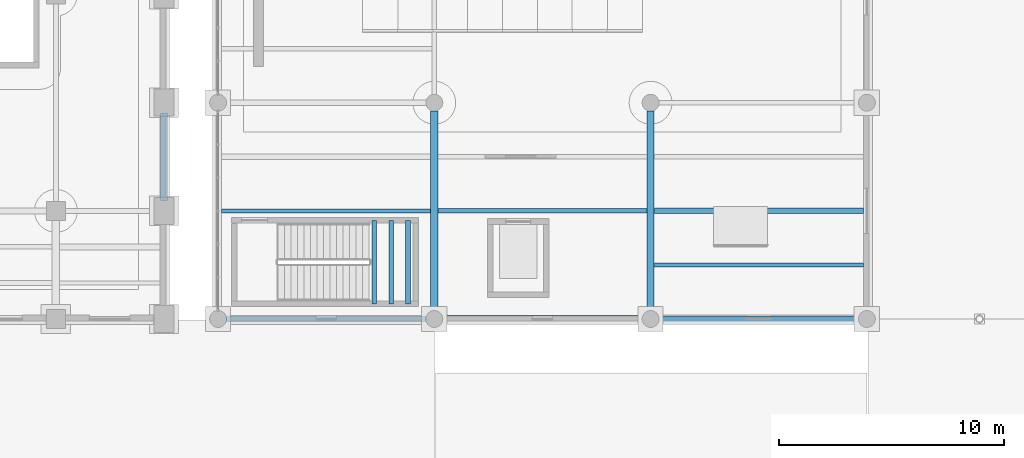
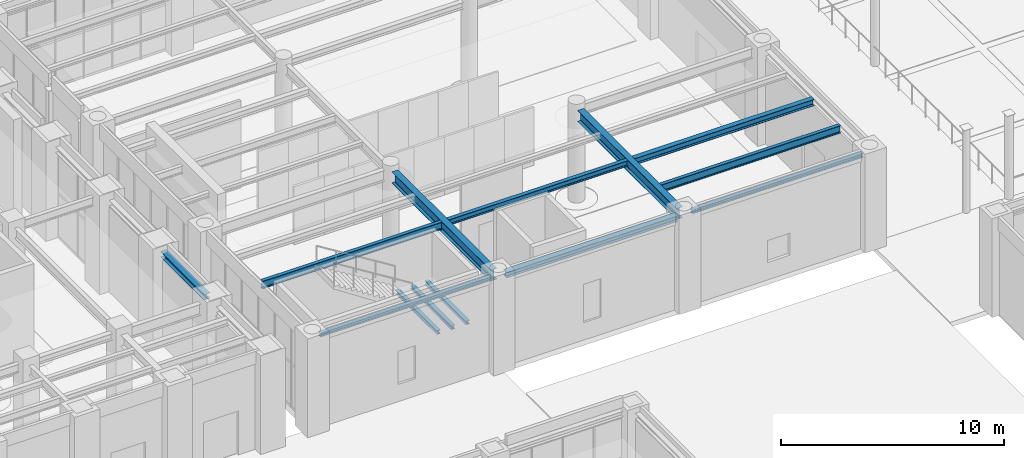
# One storey, part 42 of 164: 13 beams.
"""IFC4 building model written with IfcOpenShell, lengths in metres."""

from ifc_helpers import new_model, si_unit, direction, frame, origin, origin_2d, place, context, subcontext, project, spatial, i_section, extrude, material, material_profile, profile_set, type_object, element, save


model = new_model("IFC4")

# Units and contexts
model_context = context("Model", 3, precision=1e-05, world=origin(), true_north=direction((0.0, 1.0)))
body_context = subcontext(model_context, "Body", "Model", "MODEL_VIEW")
ifc_project = project(units=[si_unit("LENGTHUNIT", "METRE"), si_unit("AREAUNIT", "SQUARE_METRE"), si_unit("VOLUMEUNIT", "CUBIC_METRE"), si_unit("PLANEANGLEUNIT", "RADIAN"), si_unit("MASSUNIT", "GRAM", prefix="KILO")], contexts=[model_context])

# Site, building, storey
site_placement = place(None, origin())
site = spatial("IfcSite", under=ifc_project, at=site_placement, CompositionType="ELEMENT")
building_placement = place(site_placement, origin())
building = spatial("IfcBuilding", under=site, at=building_placement, Name="Mavantir Sound Aquarium", CompositionType="ELEMENT")
storey_placement = place(building_placement, origin())
storey = spatial("IfcBuildingStorey", under=building, at=storey_placement, Name="L00", CompositionType="ELEMENT", Elevation=0.0)

# Beams
ifc_material = material(Name="Structural Steel ASTM A992 Gr50", Category="steel")
ifc_material_profile_1 = material_profile(ifc_material, i_section(OverallWidth=0.202880859375, OverallDepth=0.202880859375, WebThickness=0.007080078125, FlangeThickness=0.010986328125, FilletRadius=0.010009765625, at=origin_2d()), Name="W200X46")
ifc_profile_set_1 = profile_set([ifc_material_profile_1], Name="Structural Steel ASTM A992 Gr50")
beam_type_1 = type_object("IfcBeamType", Name="BM-W200X46-E", PredefinedType="LINTEL", material=ifc_profile_set_1)
for number, where, z_axis, x_axis, name in (
    (1, (36.375, 40.800048828125, 4.994384765625), (1.0, 0.0, 0.0), (0.0, 1.0, 0.0), "L00 primary beam SL-20 866"),
    (2, (55.574951171875, 40.800048828125, 4.994384765625), (1.0, 0.0, 0.0), (0.0, 1.0, 0.0), "L00 primary beam SL-20 868"),
):
    element("IfcBeam", number, at=place(storey_placement, frame(where, z_axis=z_axis, x_axis=x_axis)), inside=storey, type_object=beam_type_1, Name=name, PredefinedType="LINTEL", context=body_context, shape_type="SweptSolid", body=[
        extrude(i_section(OverallWidth=0.202880859375, OverallDepth=0.202880859375, WebThickness=0.007080078125, FlangeThickness=0.010986328125, FilletRadius=0.010009765625, at=origin_2d()), origin(), (0.0, 0.0, 1.0), 8.85009765625),
    ])
ifc_material_profile_2 = material_profile(ifc_material, i_section(OverallWidth=0.202880859375, OverallDepth=0.202880859375, WebThickness=0.007080078125, FlangeThickness=0.010986328125, FilletRadius=0.010009765625, at=origin_2d()), Name="W200X46")
ifc_profile_set_2 = profile_set([ifc_material_profile_2], Name="Structural Steel ASTM A992 Gr50")
beam_type_2 = type_object("IfcBeamType", Name="BM-W200X46-I", PredefinedType="LINTEL", material=ifc_profile_set_2)
for number, where, z_axis, x_axis, name in (
    (3, (42.929931640625, 41.47509765625, 2.3955078125), (0.0, 1.0, 0.0), (-1.0, 0.0, 0.0), "Stair ST8 landing support beam 145"),
    (4, (43.679931640625, 41.47509765625, 2.3955078125), (0.0, 1.0, 0.0), (-1.0, 0.0, 0.0), "Stair ST8 landing support beam 146"),
    (5, (44.429931640625, 41.47509765625, 2.3955078125), (0.0, 1.0, 0.0), (-1.0, 0.0, 0.0), "Stair ST8 landing support beam 147"),
):
    element("IfcBeam", number, at=place(storey_placement, frame(where, z_axis=z_axis, x_axis=x_axis)), inside=storey, type_object=beam_type_2, Name=name, PredefinedType="LINTEL", context=body_context, shape_type="SweptSolid", body=[
        extrude(i_section(OverallWidth=0.202880859375, OverallDepth=0.202880859375, WebThickness=0.007080078125, FlangeThickness=0.010986328125, FilletRadius=0.010009765625, at=origin_2d()), origin(), (0.0, 0.0, 1.0), 3.699951171875),
    ])
ifc_material_profile_3 = material_profile(ifc_material, i_section(OverallWidth=0.205078125, OverallDepth=0.31005859375, WebThickness=0.009521484375, FlangeThickness=0.016357421875, FilletRadius=0.012939453125, at=origin_2d()), Name="W310X74")
ifc_profile_set_3 = profile_set([ifc_material_profile_3], Name="Structural Steel ASTM A992 Gr50")
beam_type_3 = type_object("IfcBeamType", Name="BM-W310X74-I", PredefinedType="JOIST", material=ifc_profile_set_3)
beam_1_placement = place(storey_placement, frame((45.761962890625, 45.60009765625, 4.94091796875), z_axis=(1.0, 0.0, 0.0), x_axis=(0.0, 1.0, 0.0)))
element("IfcBeam", 6, at=beam_1_placement, inside=storey, type_object=beam_type_3, Name="L00 secondary floor joist SJ-31 463", PredefinedType="JOIST", context=body_context, shape_type="SweptSolid", body=[
    extrude(i_section(OverallWidth=0.205078125, OverallDepth=0.31005859375, WebThickness=0.009521484375, FlangeThickness=0.016357421875, FilletRadius=0.012939453125, at=origin_2d()), origin(), (0.0, 0.0, 1.0), 9.276123046875),
])
ifc_material_profile_4 = material_profile(ifc_material, i_section(OverallWidth=0.304931640625, OverallDepth=0.30810546875, WebThickness=0.010009765625, FlangeThickness=0.015380859375, FilletRadius=0.014892578125, at=origin_2d()), Name="W310X97")
ifc_profile_set_4 = profile_set([ifc_material_profile_4], Name="Structural Steel ASTM A992 Gr50")
beam_type_4 = type_object("IfcBeamType", Name="BM-W310X97-E", PredefinedType="SPANDREL", material=ifc_profile_set_4)
beam_2_placement = place(storey_placement, frame((33.60009765625, 46.050048828125, 4.842041015625), z_axis=(0.0, 1.0, 0.0), x_axis=(-1.0, 0.0, 0.0)))
element("IfcBeam", 7, at=beam_2_placement, inside=storey, type_object=beam_type_4, Name="L00 primary girder SS-31A 859", PredefinedType="SPANDREL", context=body_context, shape_type="SweptSolid", body=[
    extrude(i_section(OverallWidth=0.304931640625, OverallDepth=0.30810546875, WebThickness=0.010009765625, FlangeThickness=0.015380859375, FilletRadius=0.014892578125, at=origin_2d()), origin(), (0.0, 0.0, 1.0), 3.89990234375),
])
beam_3_placement = place(storey_placement, frame((45.97509765625, 40.800048828125, 4.94189453125), z_axis=(1.0, 0.0, 0.0), x_axis=(0.0, 1.0, 0.0)))
element("IfcBeam", 8, at=beam_3_placement, inside=storey, type_object=beam_type_4, Name="L00 primary beam SS-31A 867", PredefinedType="SPANDREL", context=body_context, shape_type="SweptSolid", body=[
    extrude(i_section(OverallWidth=0.304931640625, OverallDepth=0.30810546875, WebThickness=0.010009765625, FlangeThickness=0.015380859375, FilletRadius=0.014892578125, at=origin_2d()), origin(), (0.0, 0.0, 1.0), 8.849853515625),
])
ifc_material_profile_5 = material_profile(ifc_material, i_section(OverallWidth=0.25390625, OverallDepth=0.35302734375, WebThickness=0.009521484375, FlangeThickness=0.016357421875, FilletRadius=0.014892578125, at=origin_2d()), Name="W360X91")
ifc_profile_set_5 = profile_set([ifc_material_profile_5], Name="Structural Steel ASTM A992 Gr50")
beam_type_5 = type_object("IfcBeamType", Name="BM-W360X91-I", PredefinedType="JOIST", material=ifc_profile_set_5)
beam_4_placement = place(storey_placement, frame((55.362060546875, 45.60009765625, 4.91943359375), z_axis=(1.0, 0.0, 0.0), x_axis=(0.0, 1.0, 0.0)))
element("IfcBeam", 9, at=beam_4_placement, inside=storey, type_object=beam_type_5, Name="L00 secondary floor joist SJ-36 466", PredefinedType="JOIST", context=body_context, shape_type="SweptSolid", body=[
    extrude(i_section(OverallWidth=0.25390625, OverallDepth=0.35302734375, WebThickness=0.009521484375, FlangeThickness=0.016357421875, FilletRadius=0.014892578125, at=origin_2d()), origin(), (0.0, 0.0, 1.0), 9.285400390625),
])
ifc_material_profile_6 = material_profile(ifc_material, i_section(OverallWidth=0.180908203125, OverallDepth=0.4169921875, WebThickness=0.010986328125, FlangeThickness=0.018310546875, FilletRadius=0.014892578125, at=origin_2d()), Name="W410X85")
ifc_profile_set_6 = profile_set([ifc_material_profile_6], Name="Structural Steel ASTM A992 Gr50")
beam_type_6 = type_object("IfcBeamType", Name="BM-W410X85-I", PredefinedType="JOIST", material=ifc_profile_set_6)
for number, where, z_axis, x_axis, name in (
    (10, (36.152587890625, 45.60009765625, 4.887451171875), (1.0, 0.0, 0.0), (0.0, 1.0, 0.0), "L00 secondary floor joist SJ-41 461"),
    (11, (55.362060546875, 43.199951171875, 4.887451171875), (1.0, 0.0, 0.0), (0.0, 1.0, 0.0), "L00 secondary floor joist SJ-41 465"),
):
    element("IfcBeam", number, at=place(storey_placement, frame(where, z_axis=z_axis, x_axis=x_axis)), inside=storey, type_object=beam_type_6, Name=name, PredefinedType="JOIST", context=body_context, shape_type="SweptSolid", body=[
        extrude(i_section(OverallWidth=0.180908203125, OverallDepth=0.4169921875, WebThickness=0.010986328125, FlangeThickness=0.018310546875, FilletRadius=0.014892578125, at=origin_2d()), origin(), (0.0, 0.0, 1.0), 9.285400390625),
    ])
ifc_material_profile_7 = material_profile(ifc_material, i_section(OverallWidth=0.323974609375, OverallDepth=0.611083984375, WebThickness=0.0126953125, FlangeThickness=0.01904296875, FilletRadius=0.01904296875, at=origin_2d()), Name="W610X155")
ifc_profile_set_7 = profile_set([ifc_material_profile_7], Name="Structural Steel ASTM A992 Gr50")
beam_type_7 = type_object("IfcBeamType", Name="BM-W610X155-I", PredefinedType="BEAM", material=ifc_profile_set_7)
for number, where, z_axis, x_axis, name in (
    (12, (45.60009765625, 41.175048828125, 4.79052734375), (0.0, 1.0, 0.0), (-1.0, 0.0, 0.0), "L00 primary girder SB-61A 880"),
    (13, (55.199951171875, 41.175048828125, 4.79052734375), (0.0, 1.0, 0.0), (-1.0, 0.0, 0.0), "L00 primary girder SB-61A 883"),
):
    element("IfcBeam", number, at=place(storey_placement, frame(where, z_axis=z_axis, x_axis=x_axis)), inside=storey, type_object=beam_type_7, Name=name, PredefinedType="BEAM", context=body_context, shape_type="SweptSolid", body=[
        extrude(i_section(OverallWidth=0.323974609375, OverallDepth=0.611083984375, WebThickness=0.0126953125, FlangeThickness=0.01904296875, FilletRadius=0.01904296875, at=origin_2d()), origin(), (0.0, 0.0, 1.0), 8.849853515625),
    ])

save(model, "model.ifc")
